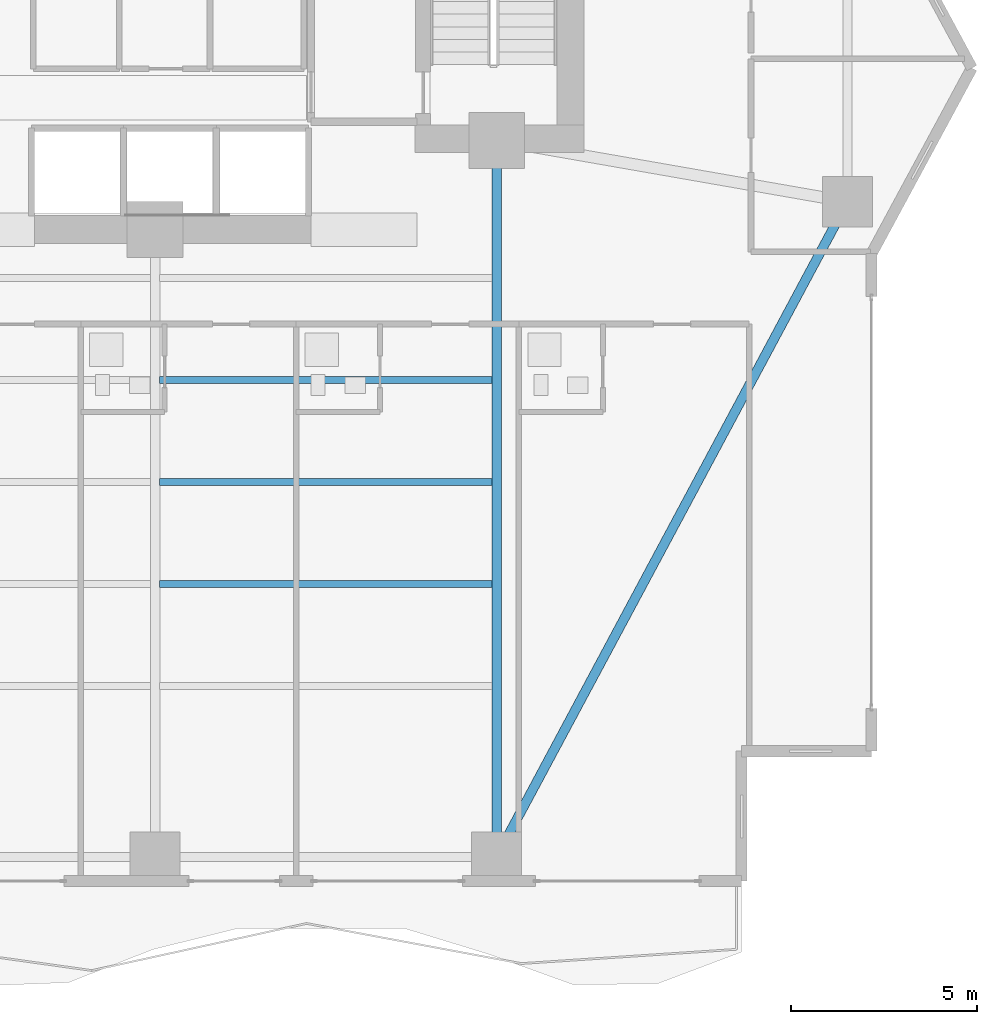
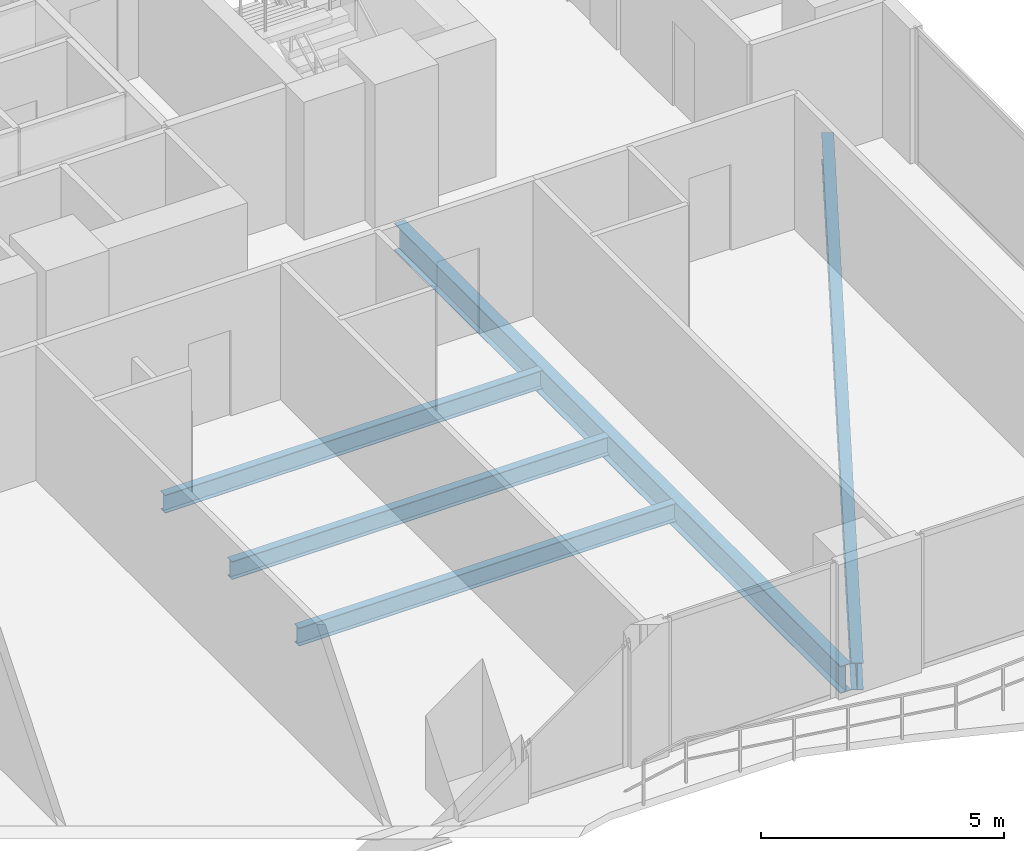
# One storey, part 10 of 29: 5 beams.
"""IFC4 building model written with IfcOpenShell, lengths in metres."""

from ifc_helpers import new_model, si_unit, direction, frame, origin, origin_2d, place, context, subcontext, project, spatial, i_section, extrude, material, material_profile, profile_set, type_object, element, save


model = new_model("IFC4")

# Units and contexts
model_context = context("Model", 3, precision=1e-05, world=origin(), true_north=direction((0.0, 1.0)))
body_context = subcontext(model_context, "Body", "Model", "MODEL_VIEW")
ifc_project = project(units=[si_unit("LENGTHUNIT", "METRE"), si_unit("AREAUNIT", "SQUARE_METRE"), si_unit("VOLUMEUNIT", "CUBIC_METRE"), si_unit("PLANEANGLEUNIT", "RADIAN"), si_unit("MASSUNIT", "GRAM", prefix="KILO")], contexts=[model_context])

# Site, building, storey
site_placement = place(None, origin())
site = spatial("IfcSite", under=ifc_project, at=site_placement, CompositionType="ELEMENT")
building_placement = place(site_placement, origin())
building = spatial("IfcBuilding", under=site, at=building_placement, Name="Zuhayl Quay Hotel", CompositionType="ELEMENT")
storey_placement = place(building_placement, frame((0.0, 0.0, 158.550048828125)))
storey = spatial("IfcBuildingStorey", under=building, at=storey_placement, Name="L40", CompositionType="ELEMENT", Elevation=158.550048828125)

# Beams
ifc_material = material(Name="Steel ASTM A992 Grade 50", Category="steel")
ifc_material_profile_1 = material_profile(ifc_material, i_section(OverallWidth=0.25390625, OverallDepth=0.68310546875, WebThickness=0.012451171875, FlangeThickness=0.018798828125, at=origin_2d()), Name="W27X94")
ifc_profile_set_1 = profile_set([ifc_material_profile_1], Name="Steel ASTM A992 Grade 50")
beam_type_1 = type_object("IfcBeamType", Name="BM_B2_W27X94", PredefinedType="BEAM", material=ifc_profile_set_1)
beam_1_placement = place(storey_placement, frame((14.035888671875, -14.30908203125, -0.5615234375), z_axis=(0.472017301959, 0.88158928456, 0.0), x_axis=(-0.88158928456, 0.472017301959, 0.0)))
element("IfcBeam", 1, at=beam_1_placement, inside=storey, type_object=beam_type_1, Name="L40 Floor Beam RG_L40_04", PredefinedType="BEAM", context=body_context, shape_type="SweptSolid", body=[
    extrude(i_section(OverallWidth=0.25390625, OverallDepth=0.68310546875, WebThickness=0.012451171875, FlangeThickness=0.018798828125, at=origin_2d()), origin(), (0.0, 0.0, 1.0), 19.0205078125),
])
beam_2_placement = place(storey_placement, frame((13.800048828125, -14.25, -0.5615234375), z_axis=(0.0, 1.0, 0.0), x_axis=(-1.0, 0.0, 0.0)))
element("IfcBeam", 2, at=beam_2_placement, inside=storey, type_object=beam_type_1, Name="L40 Floor Beam FG_S_L40_4", PredefinedType="BEAM", context=body_context, shape_type="SweptSolid", body=[
    extrude(i_section(OverallWidth=0.25390625, OverallDepth=0.68310546875, WebThickness=0.012451171875, FlangeThickness=0.018798828125, at=origin_2d()), origin(), (0.0, 0.0, 1.0), 18.35009765625),
])
ifc_material_profile_2 = material_profile(ifc_material, i_section(OverallWidth=0.18994140625, OverallDepth=0.45703125, WebThickness=0.009033203125, FlangeThickness=0.014404296875, at=origin_2d()), Name="W18X50")
ifc_profile_set_2 = profile_set([ifc_material_profile_2], Name="Steel ASTM A992 Grade 50")
beam_type_2 = type_object("IfcBeamType", Name="BM_J2_W18X50", PredefinedType="JOIST", material=ifc_profile_set_2)
for number, where, z_axis, x_axis, name in (
    (3, (4.718994140625, -7.39990234375, -0.448486328125), (1.0, 0.0, 0.0), (0.0, 1.0, 0.0), "L40 Floor Beam FJ_L40_6_3"),
    (4, (4.718994140625, -4.64990234375, -0.448486328125), (1.0, 0.0, 0.0), (0.0, 1.0, 0.0), "L40 Floor Beam FJ_L40_7_3"),
    (5, (4.718994140625, -1.89990234375, -0.448486328125), (1.0, 0.0, 0.0), (0.0, 1.0, 0.0), "L40 Floor Beam FJ_L40_8_3"),
):
    element("IfcBeam", number, at=place(storey_placement, frame(where, z_axis=z_axis, x_axis=x_axis)), inside=storey, type_object=beam_type_2, Name=name, PredefinedType="JOIST", context=body_context, shape_type="SweptSolid", body=[
        extrude(i_section(OverallWidth=0.18994140625, OverallDepth=0.45703125, WebThickness=0.009033203125, FlangeThickness=0.014404296875, at=origin_2d()), origin(), (0.0, 0.0, 1.0), 8.9619140625),
    ])

save(model, "model.ifc")
